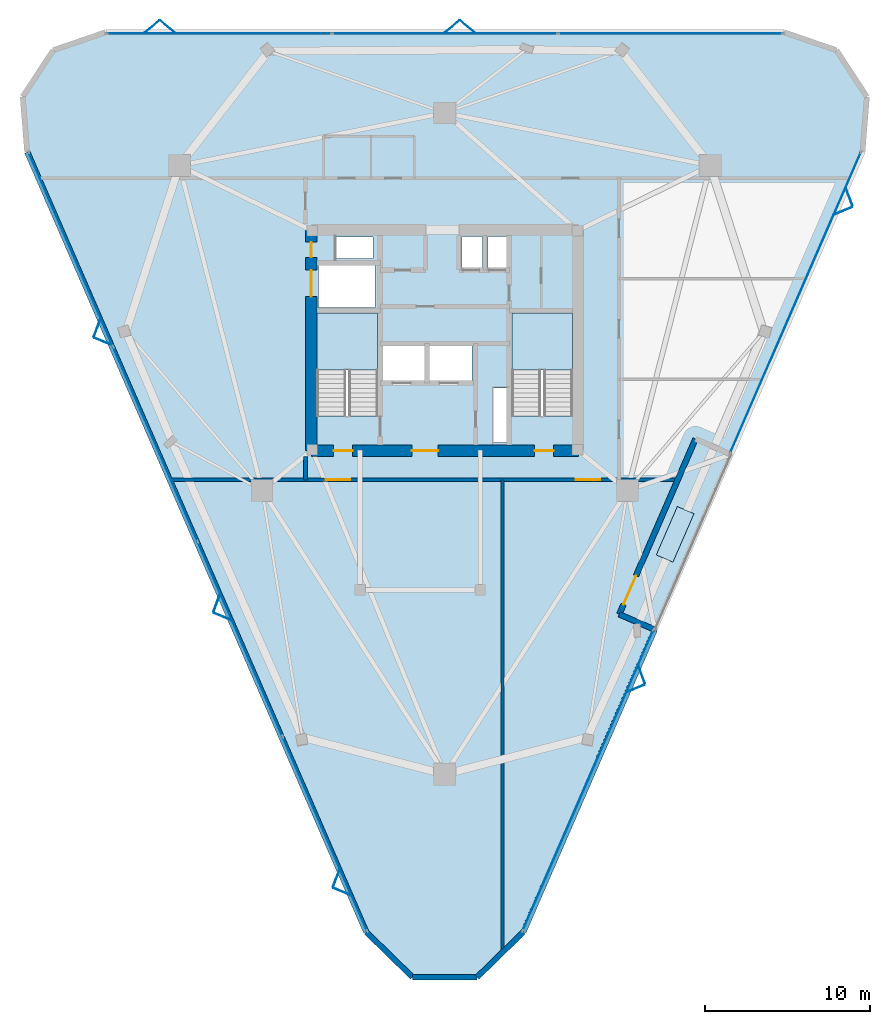
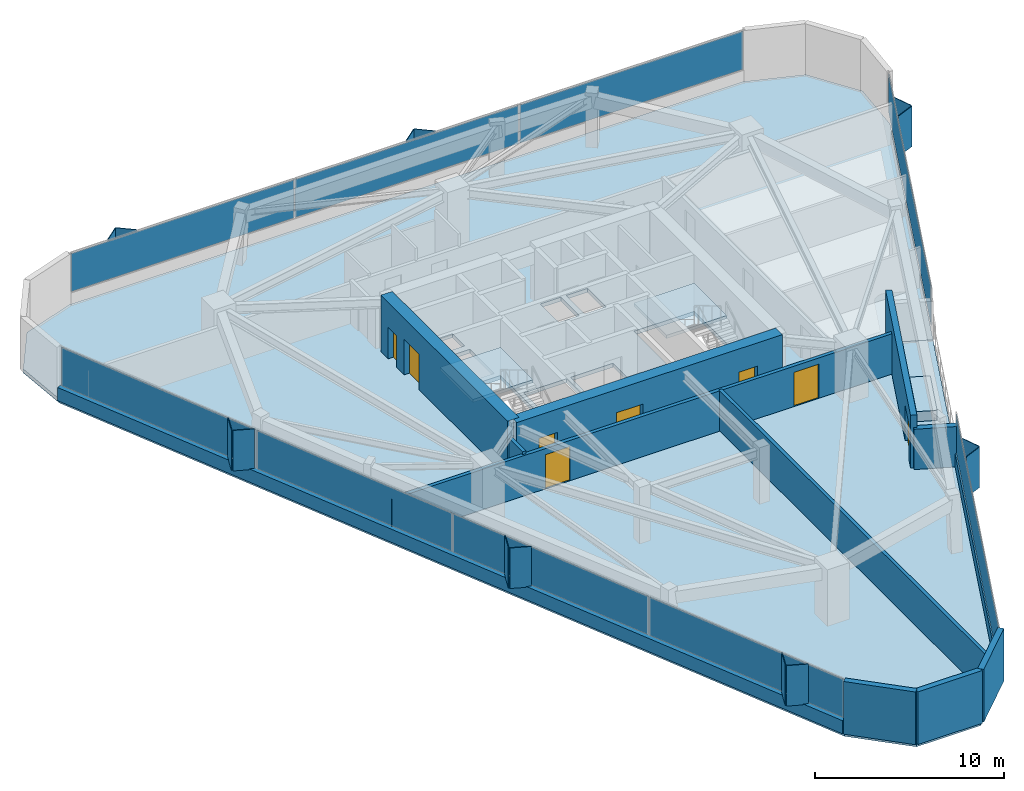
# One storey, part 7 of 11: 24 plates, 12 walls, 8 doors, 4 slabs, 8 openings, 6 elements without a shape of their own.
"""IFC4 building model written with IfcOpenShell, lengths in metres."""

from ifc_helpers import new_model, si_unit, direction, frame, frame_2d, origin, origin_2d, place, context, subcontext, project, spatial, polyline, rectangle, outline, extrude, material, layer, layer_set, type_object, element, fill, aggregate, save


model = new_model("IFC4")

# Units and contexts
model_context = context("Model", 3, precision=1e-05, world=origin(), true_north=direction((0.0, 1.0)))
body_context = subcontext(model_context, "Body", "Model", "MODEL_VIEW")
ifc_project = project(units=[si_unit("LENGTHUNIT", "METRE"), si_unit("AREAUNIT", "SQUARE_METRE"), si_unit("VOLUMEUNIT", "CUBIC_METRE"), si_unit("PLANEANGLEUNIT", "RADIAN"), si_unit("MASSUNIT", "GRAM", prefix="KILO")], contexts=[model_context])

# Site, building, storey
site_placement = place(None, origin())
site = spatial("IfcSite", under=ifc_project, at=site_placement, CompositionType="ELEMENT")
building_placement = place(site_placement, origin())
building = spatial("IfcBuilding", under=site, at=building_placement, Name="Talyreon Biosciences Tower", CompositionType="ELEMENT")
storey_placement = place(building_placement, frame((0.0, 0.0, 201.300048828125)))
storey = spatial("IfcBuildingStorey", under=building, at=storey_placement, Name="L53", CompositionType="ELEMENT", Elevation=201.300048828125)

# Curtain wall, plates
ifc_material_1 = material(Name="Thermally broken aluminium and low-E glazing", Category="aluminium")
ifc_layer_1 = layer(ifc_material_1, 0.205078125)
ifc_layer_set_1 = layer_set([ifc_layer_1], Name="Thermally broken aluminium and low-E glazing")
curtain_wall_type = type_object("IfcCurtainWallType", Name="CurtainWall_SkyGardenLoggia", PredefinedType="NOTDEFINED", material=ifc_layer_set_1)
curtain_wall_1_placement = place(storey_placement, origin())
curtain_wall_1 = element("IfcCurtainWall", 1, at=curtain_wall_1_placement, inside=storey, type_object=curtain_wall_type, Name="L53 Unitised Curtain Wall FCW-L53-03", PredefinedType="NOTDEFINED")
ifc_material_2 = material(Name="Acoustic laminated low-E insulated glazing", Category="glass")
ifc_layer_2 = layer(ifc_material_2, 0.0380859375)
ifc_layer_set_2 = layer_set([ifc_layer_2], Name="Acoustic laminated low-E insulated glazing")
plate_type_1 = type_object("IfcPlateType", Name="CWGlazingPanel_38", PredefinedType="CURTAIN_PANEL", material=ifc_layer_set_2)
plate_1_placement = place(storey_placement, frame((52.30859375, 86.605224609375, 0.875), z_axis=(0.0, 0.0, 1.0), x_axis=(1.0, 0.0, 0.0)))
plate_1 = element("IfcPlate", 2, at=plate_1_placement, type_object=plate_type_1, Name="CW7 panel 1.1", PredefinedType="CURTAIN_PANEL", context=body_context, shape_type="SweptSolid", body=[
    extrude(rectangle(XDim=13.59765625, YDim=0.0380859375, at=origin_2d()), origin(), (0.0, 0.0, 1.0), 2.4599609375),
])
plate_2_placement = place(storey_placement, frame((66.0, 86.605224609375, 0.875), z_axis=(0.0, 0.0, 1.0), x_axis=(1.0, 0.0, 0.0)))
plate_2 = element("IfcPlate", 3, at=plate_2_placement, type_object=plate_type_1, Name="CW7 panel 2.1", PredefinedType="CURTAIN_PANEL", context=body_context, shape_type="SweptSolid", body=[
    extrude(rectangle(XDim=13.63525390625, YDim=0.0380859375, at=origin_2d()), origin(), (0.0, 0.0, 1.0), 2.4599609375),
])
plate_3_placement = place(storey_placement, frame((79.69140625, 86.605224609375, 0.875), z_axis=(0.0, 0.0, 1.0), x_axis=(1.0, 0.0, 0.0)))
plate_3 = element("IfcPlate", 4, at=plate_3_placement, type_object=plate_type_1, Name="CW7 panel 3.1", PredefinedType="CURTAIN_PANEL", context=body_context, shape_type="SweptSolid", body=[
    extrude(rectangle(XDim=13.59765625, YDim=0.0380859375, at=origin_2d()), origin(), (0.0, 0.0, 1.0), 2.4599609375),
])
aggregate(curtain_wall_1, [plate_1, plate_2, plate_3])

# Curtain wall, plate
curtain_wall_2_placement = place(storey_placement, origin())
curtain_wall_2 = element("IfcCurtainWall", 5, at=curtain_wall_2_placement, inside=storey, type_object=curtain_wall_type, Name="L53 Unitised Curtain Wall FCW-L53-07", PredefinedType="NOTDEFINED")
plate_4_placement = place(storey_placement, frame((87.275634765625, 70.275390625, 0.875), z_axis=(0.0, 0.0, 1.0), x_axis=(-0.398627540924, -0.91711290669, 0.0)))
plate_4 = element("IfcPlate", 6, at=plate_4_placement, type_object=plate_type_1, Name="CW7 panel 1.1", PredefinedType="CURTAIN_PANEL", context=body_context, shape_type="SweptSolid", body=[
    extrude(rectangle(XDim=19.845458984375, YDim=0.0380859375, at=origin_2d()), origin(), (0.0, 0.0, 1.0), 2.4599609375),
])
aggregate(curtain_wall_2, [plate_4])

curtain_wall_3_placement = place(storey_placement, origin())
curtain_wall_3 = element("IfcCurtainWall", 7, at=curtain_wall_3_placement, inside=storey, type_object=curtain_wall_type, Name="L53 Unitised Curtain Wall FCW-L53-11", PredefinedType="NOTDEFINED")
plate_5_placement = place(storey_placement, frame((74.680908203125, 41.298828125, 0.875), z_axis=(0.0, 0.0, 1.0), x_axis=(-0.3986251628, -0.917113940349, 0.0)))
plate_5 = element("IfcPlate", 8, at=plate_5_placement, type_object=plate_type_1, Name="CW7 panel 1.1", PredefinedType="CURTAIN_PANEL", context=body_context, shape_type="SweptSolid", body=[
    extrude(rectangle(XDim=19.84521484375, YDim=0.0380859375, at=origin_2d()), origin(), (0.0, 0.0, 1.0), 2.4599609375),
])
aggregate(curtain_wall_3, [plate_5])

# Curtain wall, plates
curtain_wall_4_placement = place(storey_placement, origin())
curtain_wall_4 = element("IfcCurtainWall", 9, at=curtain_wall_4_placement, inside=storey, type_object=curtain_wall_type, Name="L53 Unitised Curtain Wall FCW-L53-15", PredefinedType="NOTDEFINED")
plate_6_placement = place(storey_placement, frame((58.726318359375, 38.061279296875, 0.875), z_axis=(0.0, 0.0, 1.0), x_axis=(-0.398626314079, 0.917113439943, 0.0)))
plate_6 = element("IfcPlate", 10, at=plate_6_placement, type_object=plate_type_1, Name="CW7 panel 1.1", PredefinedType="CURTAIN_PANEL", context=body_context, shape_type="SweptSolid", body=[
    extrude(rectangle(XDim=12.78515625, YDim=0.0380859375, at=origin_2d()), origin(), (0.0, 0.0, 1.0), 2.4599609375),
])
plate_7_placement = place(storey_placement, frame((53.59228515625, 49.872802734375, 0.875), z_axis=(0.0, 0.0, 1.0), x_axis=(-0.398626314079, 0.917113439943, 0.0)))
plate_7 = element("IfcPlate", 11, at=plate_7_placement, type_object=plate_type_1, Name="CW7 panel 2.1", PredefinedType="CURTAIN_PANEL", context=body_context, shape_type="SweptSolid", body=[
    extrude(rectangle(XDim=12.82275390625, YDim=0.0380859375, at=origin_2d()), origin(), (0.0, 0.0, 1.0), 2.4599609375),
])
plate_8_placement = place(storey_placement, frame((48.450927734375, 61.701416015625, 0.875), z_axis=(0.0, 0.0, 1.0), x_axis=(-0.398626314079, 0.917113439943, 0.0)))
plate_8 = element("IfcPlate", 12, at=plate_8_placement, type_object=plate_type_1, Name="CW7 panel 3.1", PredefinedType="CURTAIN_PANEL", context=body_context, shape_type="SweptSolid", body=[
    extrude(rectangle(XDim=12.82275390625, YDim=0.0380859375, at=origin_2d()), origin(), (0.0, 0.0, 1.0), 2.4599609375),
])
plate_9_placement = place(storey_placement, frame((43.317138671875, 73.5126953125, 0.875), z_axis=(0.0, 0.0, 1.0), x_axis=(-0.398626314079, 0.917113439943, 0.0)))
plate_9 = element("IfcPlate", 13, at=plate_9_placement, type_object=plate_type_1, Name="CW7 panel 4.1", PredefinedType="CURTAIN_PANEL", context=body_context, shape_type="SweptSolid", body=[
    extrude(rectangle(XDim=12.78515625, YDim=0.0380859375, at=origin_2d()), origin(), (0.0, 0.0, 1.0), 2.4599609375),
])
aggregate(curtain_wall_4, [plate_6, plate_7, plate_8, plate_9])

# Slab
ifc_material_3 = material(Name="Concrete C40/50", Category="concrete")
ifc_layer_3 = layer(ifc_material_3, 0.25)
ifc_layer_set_3 = layer_set([ifc_layer_3], Name="Concrete C40/50")
slab_type_1 = type_object("IfcSlabType", Name="DryLabFloorSlab_250", PredefinedType="FLOOR", material=ifc_layer_set_3)
slab_1_placement = place(storey_placement, frame((0.0, 0.0, -0.25)))
element("IfcSlab", 14, at=slab_1_placement, inside=storey, type_object=slab_type_1, Name="L53 Structural Floor Slab", PredefinedType="FLOOR", context=body_context, shape_type="SweptSolid", body=[
    extrude(outline(polyline([(40.66552734375, 79.412353515625), (40.396484375, 82.77294921875), (42.245361328125, 85.59228515625), (45.4345703125, 86.685302734375), (86.5654296875, 86.685302734375), (89.754638671875, 85.59228515625), (91.603515625, 82.77294921875), (91.33447265625, 79.412353515625), (83.36376953125, 61.074462890625), (81.20849609375, 62.010986328125), (76.58447265625, 51.37255859375), (78.739501953125, 50.435791015625), (70.76904296875, 32.097900390625), (67.962158203125, 29.355224609375), (64.037841796875, 29.355224609375), (61.23095703125, 32.097900390625), (40.66552734375, 79.412353515625)]), holes=[polyline([(69.820068359375, 65.10009765625), (69.820068359375, 61.800048828125), (68.9599609375, 61.800048828125), (68.9599609375, 65.10009765625), (69.820068359375, 65.10009765625)]), polyline([(61.929931640625, 69.64990234375), (61.929931640625, 63.407958984375), (58.25, 63.407958984375), (58.25, 69.64990234375), (61.929931640625, 69.64990234375)]), polyline([(73.75, 69.64990234375), (73.75, 63.407958984375), (70.070068359375, 63.407958984375), (70.070068359375, 69.64990234375), (73.75, 69.64990234375)]), polyline([(64.800048828125, 67.64990234375), (64.800048828125, 65.550048828125), (62.199951171875, 65.550048828125), (62.199951171875, 67.64990234375), (64.800048828125, 67.64990234375)]), polyline([(67.64990234375, 67.64990234375), (67.64990234375, 65.550048828125), (65.050048828125, 65.550048828125), (65.050048828125, 67.64990234375), (67.64990234375, 67.64990234375)]), polyline([(61.75, 72.550048828125), (61.75, 69.97998046875), (58.35009765625, 69.97998046875), (58.35009765625, 72.550048828125), (61.75, 72.550048828125)]), polyline([(68.300048828125, 74.300048828125), (68.300048828125, 72.35009765625), (67.050048828125, 72.35009765625), (67.050048828125, 74.300048828125), (68.300048828125, 74.300048828125)]), polyline([(69.919921875, 72.35009765625), (68.6201171875, 72.35009765625), (68.6201171875, 74.300048828125), (69.919921875, 74.300048828125), (69.919921875, 72.35009765625)]), polyline([(61.64990234375, 72.9599609375), (59.39990234375, 72.9599609375), (59.39990234375, 74.25), (61.64990234375, 74.25), (61.64990234375, 72.9599609375)])]), origin(), (0.0, 0.0, 1.0), 0.25),
])

# Plates
ifc_material_4 = material(Name="Ivory GFRC sunshade panel", Category="concrete")
ifc_layer_4 = layer(ifc_material_4, 0.044921875)
ifc_layer_set_4 = layer_set([ifc_layer_4], Name="Ivory GFRC sunshade panel")
plate_type_2 = type_object("IfcPlateType", Name="FoldedVSunshade_NorthFace_SUNSHADE", PredefinedType="USERDEFINED", material=ifc_layer_set_4)
for number, where, z_axis, x_axis, name in (
    (15, (48.254638671875, 87.045166015625, 0.7900390625), (0.0, 0.0, 1.0), (0.771624583388, 0.636078220278, 0.0), "L53 Folded V-Sunshade Panel 03.01L"),
    (16, (49.154541015625, 87.045166015625, 0.7900390625), (0.0, 0.0, 1.0), (0.771624583388, -0.636078220278, 0.0), "L53 Folded V-Sunshade Panel 03.01R"),
    (17, (66.45458984375, 87.045166015625, 0.7900390625), (0.0, 0.0, 1.0), (0.771624583388, 0.636078220278, 0.0), "L53 Folded V-Sunshade Panel 03.02L"),
    (18, (67.3544921875, 87.045166015625, 0.7900390625), (0.0, 0.0, 1.0), (0.771624583388, -0.636078220278, 0.0), "L53 Folded V-Sunshade Panel 03.02R"),
):
    element("IfcPlate", number, at=place(storey_placement, frame(where, z_axis=z_axis, x_axis=x_axis)), inside=storey, type_object=plate_type_2, Name=name, ObjectType="SUNSHADE", PredefinedType="USERDEFINED", context=body_context, shape_type="SweptSolid", body=[
        extrude(rectangle(XDim=1.14990234375, YDim=0.044921875, at=origin_2d()), origin(), (0.0, 0.0, 1.0), 2.610107421875),
    ])
ifc_layer_5 = layer(ifc_material_4, 0.044921875)
ifc_layer_set_5 = layer_set([ifc_layer_5], Name="Ivory GFRC sunshade panel")
plate_type_3 = type_object("IfcPlateType", Name="FoldedVSunshade_SunFace_SUNSHADE", PredefinedType="USERDEFINED", material=ifc_layer_set_5)
for number, where, z_axis, x_axis, name in (
    (19, (90.540283203125, 76.6826171875, 0.7900390625), (0.0, 0.0, 1.0), (0.350338161955, -0.936623281943, 0.0), "L53 Folded V-Sunshade Panel 07.01L"),
    (20, (90.181640625, 75.857177734375, 0.7900390625), (0.0, 0.0, 1.0), (-0.923826090819, -0.382812426552, 0.0), "L53 Folded V-Sunshade Panel 07.01R"),
    (21, (77.945556640625, 47.7060546875, 0.7900390625), (0.0, 0.0, 1.0), (0.350338161955, -0.936623281943, 0.0), "L53 Folded V-Sunshade Panel 11.01L"),
    (22, (77.5869140625, 46.880615234375, 0.7900390625), (0.0, 0.0, 1.0), (-0.923826090819, -0.382812426552, 0.0), "L53 Folded V-Sunshade Panel 11.01R"),
    (23, (59.776611328125, 34.540771484375, 0.7900390625), (0.0, 0.0, 1.0), (-0.923826090819, 0.382812426552, 0.0), "L53 Folded V-Sunshade Panel 15.01L"),
    (24, (59.41796875, 35.3662109375, 0.7900390625), (0.0, 0.0, 1.0), (0.350338161955, 0.936623281943, 0.0), "L53 Folded V-Sunshade Panel 15.01R"),
    (25, (52.521728515625, 51.232177734375, 0.7900390625), (0.0, 0.0, 1.0), (-0.923826090819, 0.382812426552, 0.0), "L53 Folded V-Sunshade Panel 15.02L"),
    (26, (52.1630859375, 52.0576171875, 0.7900390625), (0.0, 0.0, 1.0), (0.350338161955, 0.936623281943, 0.0), "L53 Folded V-Sunshade Panel 15.02R"),
    (27, (45.2666015625, 67.923583984375, 0.7900390625), (0.0, 0.0, 1.0), (-0.923826090819, 0.382812426552, 0.0), "L53 Folded V-Sunshade Panel 15.03L"),
    (28, (44.907958984375, 68.7490234375, 0.7900390625), (0.0, 0.0, 1.0), (0.350338161955, 0.936623281943, 0.0), "L53 Folded V-Sunshade Panel 15.03R"),
):
    element("IfcPlate", number, at=place(storey_placement, frame(where, z_axis=z_axis, x_axis=x_axis)), inside=storey, type_object=plate_type_3, Name=name, ObjectType="SUNSHADE", PredefinedType="USERDEFINED", context=body_context, shape_type="SweptSolid", body=[
        extrude(rectangle(XDim=1.14990234375, YDim=0.044921875, at=origin_2d()), origin(), (0.0, 0.0, 1.0), 2.610107421875),
    ])
ifc_material_5 = material(Name="Terracotta-faced precast planter Concrete C40/50", Category="masonry")
ifc_layer_6 = layer(ifc_material_5, 0.64990234375)
ifc_layer_set_6 = layer_set([ifc_layer_6], Name="Terracotta-faced precast planter Concrete C40/50")
plate_type_4 = type_object("IfcPlateType", Name="SkyGardenPlanter_PLANTER", PredefinedType="USERDEFINED", material=ifc_layer_set_6)
plate_10_placement = place(storey_placement, frame((79.97412109375, 56.223388671875, 0.0), z_axis=(0.0, 0.0, 1.0), x_axis=(0.398621019297, 0.917115741319, 0.0)))
element("IfcPlate", 29, at=plate_10_placement, inside=storey, type_object=plate_type_4, Name="L53 Sky-Garden Structural Planter", ObjectType="PLANTER", PredefinedType="USERDEFINED", context=body_context, shape_type="SweptSolid", body=[
    extrude(rectangle(XDim=3.199951171875, YDim=1.10009765625, at=origin_2d()), origin(), (0.0, 0.0, 1.0), 0.64990234375),
])

# Slab
ifc_layer_7 = layer(ifc_material_3, 0.330078125)
ifc_layer_set_7 = layer_set([ifc_layer_7], Name="Concrete C40/50")
slab_type_2 = type_object("IfcSlabType", Name="SkyGardenTerraceRoof_330", PredefinedType="ROOF", material=ifc_layer_set_7)
slab_2_placement = place(storey_placement, frame((0.0, 0.0, -0.330078125)))
element("IfcSlab", 30, at=slab_2_placement, inside=storey, type_object=slab_type_2, Name="L53 Planted Sky-Garden Terrace Slab", PredefinedType="ROOF", context=body_context, shape_type="SweptSolid", body=[
    extrude(outline(polyline([(78.739501953125, 50.435791015625), (76.58447265625, 51.37255859375), (81.20849609375, 62.010986328125), (83.36376953125, 61.074462890625), (78.739501953125, 50.435791015625)])), origin(), (0.0, 0.0, 1.0), 0.330078125),
])

# Stair, slab
stair_type = type_object("IfcStairType", Name="DoglegEscapeStair_3650", PredefinedType="HALF_TURN_STAIR", material=ifc_material_3)
stair_1_placement = place(storey_placement, origin())
stair_1 = element("IfcStair", 31, at=stair_1_placement, inside=storey, type_object=stair_type, Name="L53 Core Escape Stair 1", PredefinedType="HALF_TURN_STAIR")
ifc_layer_8 = layer(ifc_material_3, 0.199951171875)
ifc_layer_set_8 = layer_set([ifc_layer_8], Name="Concrete C40/50")
slab_type_3 = type_object("IfcSlabType", Name="StairLandingSlab_200", PredefinedType="LANDING", material=ifc_layer_set_8)
slab_3_placement = place(storey_placement, frame((0.0, 0.0, 1.625)))
slab_3 = element("IfcSlab", 32, at=slab_3_placement, type_object=slab_type_3, Name="ST-1 landing 1", PredefinedType="LANDING", context=body_context, shape_type="SweptSolid", body=[
    extrude(outline(polyline([(61.929931640625, 66.199951171875), (61.929931640625, 69.64990234375), (58.25, 69.64990234375), (58.25, 66.199951171875), (61.929931640625, 66.199951171875)])), origin(), (0.0, 0.0, 1.0), 0.199951171875),
])
aggregate(stair_1, [slab_3])

stair_2_placement = place(storey_placement, origin())
stair_2 = element("IfcStair", 33, at=stair_2_placement, inside=storey, type_object=stair_type, Name="L53 Core Escape Stair 2", PredefinedType="HALF_TURN_STAIR")
slab_4_placement = place(storey_placement, frame((0.0, 0.0, 1.625)))
slab_4 = element("IfcSlab", 34, at=slab_4_placement, type_object=slab_type_3, Name="ST-2 landing 1", PredefinedType="LANDING", context=body_context, shape_type="SweptSolid", body=[
    extrude(outline(polyline([(73.75, 66.199951171875), (73.75, 69.64990234375), (70.070068359375, 69.64990234375), (70.070068359375, 66.199951171875), (73.75, 66.199951171875)])), origin(), (0.0, 0.0, 1.0), 0.199951171875),
])
aggregate(stair_2, [slab_4])

# Wall
ifc_material_6 = material(Name="Gypsum fireboard acoustic stud", Category="gypsum")
ifc_layer_9 = layer(ifc_material_6, 0.199951171875)
ifc_layer_set_9 = layer_set([ifc_layer_9], Name="Gypsum fireboard acoustic stud")
wall_type_1 = type_object("IfcWallType", Name="ChemControlPartition_200", PredefinedType="PARTITIONING", material=ifc_layer_set_9)
wall_1_placement = place(storey_placement, frame((69.5, 30.976806640625, 0.0), z_axis=(0.0, 0.0, 1.0), x_axis=(0.0, 1.0, 0.0)))
element("IfcWall", 35, at=wall_1_placement, inside=storey, type_object=wall_type_1, Name="L53 Interior Wall IW-L53-SDIV1", PredefinedType="PARTITIONING", context=body_context, shape_type="SweptSolid", body=[
    extrude(rectangle(XDim=28.55322265625, YDim=0.199951171875, at=frame_2d((14.276611328125, 0.0))), origin(), (0.0, 0.0, 1.0), 2.599853515625),
])

# Wall, openings, doors
ifc_material_7 = material(Name="Concrete C50/60", Category="concrete")
ifc_layer_10 = layer(ifc_material_7, 0.699951171875)
ifc_layer_set_10 = layer_set([ifc_layer_10], Name="Concrete C50/60")
wall_type_2 = type_object("IfcWallType", Name="CoreShearWall_700", PredefinedType="SHEAR", material=ifc_layer_set_10)
wall_2_placement = place(storey_placement, frame((57.89990234375, 61.300048828125, 0.0), z_axis=(0.0, 0.0, 1.0), x_axis=(1.0, 0.0, 0.0)))
wall_2 = element("IfcWall", 36, at=wall_2_placement, inside=storey, type_object=wall_type_2, Name="L53 Core Shear Wall S", PredefinedType="SHEAR", context=body_context, shape_type="SweptSolid", body=[
    extrude(rectangle(XDim=16.2001953125, YDim=0.699951171875, at=frame_2d((8.10009765625, 0.0))), origin(), (0.0, 0.0, 1.0), 3.64990234375),
])
opening_1_placement = place(wall_2_placement, frame((1.35009765625, 0.0, 0.0)))
opening_1 = element("IfcOpeningElement", 37, at=opening_1_placement, cuts=wall_2, Name="Opening DR-L53-ST1", PredefinedType="OPENING", context=body_context, shape_type="SweptSolid", body=[
    extrude(rectangle(XDim=1.14990234375, YDim=2.14990234375, at=frame_2d((0.574951171875, 1.074951171875))), frame((0.0, 0.35986328125, 0.0), z_axis=(0.0, -1.0, 0.0), x_axis=(1.0, 0.0, 0.0)), (0.0, 0.0, 1.0), 0.719970703125),
])
opening_2_placement = place(wall_2_placement, frame((6.10009765625, 0.0, 0.0)))
opening_2 = element("IfcOpeningElement", 38, at=opening_2_placement, cuts=wall_2, Name="Opening DR-L53-FFL", PredefinedType="OPENING", context=body_context, shape_type="SweptSolid", body=[
    extrude(rectangle(XDim=1.60009765625, YDim=2.14990234375, at=frame_2d((0.800048828125, 1.074951171875))), frame((0.0, 0.35986328125, 0.0), z_axis=(0.0, -1.0, 0.0), x_axis=(1.0, 0.0, 0.0)), (0.0, 0.0, 1.0), 0.719970703125),
])
opening_3_placement = place(wall_2_placement, frame((13.550048828125, 0.0, 0.0)))
opening_3 = element("IfcOpeningElement", 39, at=opening_3_placement, cuts=wall_2, Name="Opening DR-L53-ST2", PredefinedType="OPENING", context=body_context, shape_type="SweptSolid", body=[
    extrude(rectangle(XDim=1.14990234375, YDim=2.14990234375, at=frame_2d((0.574951171875, 1.074951171875))), frame((0.0, 0.35986328125, 0.0), z_axis=(0.0, -1.0, 0.0), x_axis=(1.0, 0.0, 0.0)), (0.0, 0.0, 1.0), 0.719970703125),
])
ifc_material_8 = material(Name="Painted steel smoke-seal fire door", Category="steel")
door_type_1 = type_object("IfcDoorType", Name="FirefightingLobbyDoubleDoor_1600x2150", OperationType="DOUBLE_DOOR_SINGLE_SWING", PredefinedType="DOOR", material=ifc_material_8)
door_1_placement = place(opening_2_placement, origin())
door_1 = element("IfcDoor", 40, at=door_1_placement, inside=storey, type_object=door_type_1, Name="L53 Core Door DR-L53-FFL", OperationType="DOUBLE_DOOR_SINGLE_SWING", OverallHeight=2.14990234375, OverallWidth=1.60009765625, PredefinedType="DOOR", context=body_context, shape_type="SweptSolid", body=[
    extrude(rectangle(XDim=1.60009765625, YDim=2.14990234375, at=frame_2d((0.800048828125, 1.074951171875))), frame((0.0, 0.02490234375, 0.0), z_axis=(0.0, -1.0, 0.0), x_axis=(1.0, 0.0, 0.0)), (0.0, 0.0, 1.0), 0.050048828125),
])
fill(opening_2, door_1)
ifc_material_9 = material(Name="Painted steel fire door", Category="steel")
door_type_2 = type_object("IfcDoorType", Name="StairShaftFireDoor_1150x2150", OperationType="NOTDEFINED", PredefinedType="DOOR", material=ifc_material_9)
door_2_placement = place(opening_1_placement, origin())
door_2 = element("IfcDoor", 41, at=door_2_placement, inside=storey, type_object=door_type_2, Name="L53 Core Door DR-L53-ST1", OperationType="SINGLE_SWING_LEFT", OverallHeight=2.14990234375, OverallWidth=1.14990234375, PredefinedType="DOOR", context=body_context, shape_type="SweptSolid", body=[
    extrude(rectangle(XDim=1.14990234375, YDim=2.14990234375, at=frame_2d((0.574951171875, 1.074951171875))), frame((0.0, 0.02490234375, 0.0), z_axis=(0.0, -1.0, 0.0), x_axis=(1.0, 0.0, 0.0)), (0.0, 0.0, 1.0), 0.050048828125),
])
fill(opening_1, door_2)
door_3_placement = place(opening_3_placement, origin())
door_3 = element("IfcDoor", 42, at=door_3_placement, inside=storey, type_object=door_type_2, Name="L53 Core Door DR-L53-ST2", OperationType="SINGLE_SWING_RIGHT", OverallHeight=2.14990234375, OverallWidth=1.14990234375, PredefinedType="DOOR", context=body_context, shape_type="SweptSolid", body=[
    extrude(rectangle(XDim=1.14990234375, YDim=2.14990234375, at=frame_2d((0.574951171875, 1.074951171875))), frame((0.0, 0.02490234375, 0.0), z_axis=(0.0, -1.0, 0.0), x_axis=(1.0, 0.0, 0.0)), (0.0, 0.0, 1.0), 0.050048828125),
])
fill(opening_3, door_3)

wall_3_placement = place(storey_placement, frame((57.89990234375, 74.699951171875, 0.0), z_axis=(0.0, 0.0, 1.0), x_axis=(0.0, -1.0, 0.0)))
wall_3 = element("IfcWall", 43, at=wall_3_placement, inside=storey, type_object=wall_type_2, Name="L53 Core Shear Wall W", PredefinedType="SHEAR", context=body_context, shape_type="SweptSolid", body=[
    extrude(rectangle(XDim=13.39990234375, YDim=0.699951171875, at=frame_2d((6.699951171875, 0.0))), origin(), (0.0, 0.0, 1.0), 3.64990234375),
])
opening_4_placement = place(wall_3_placement, frame((0.75, 0.0, 0.0)))
opening_4 = element("IfcOpeningElement", 44, at=opening_4_placement, cuts=wall_3, Name="Opening DR-L53-RSW", PredefinedType="OPENING", context=body_context, shape_type="SweptSolid", body=[
    extrude(rectangle(XDim=0.919921875, YDim=2.050048828125, at=frame_2d((0.4599609375, 1.02490234375))), frame((0.0, 0.35986328125, 0.0), z_axis=(0.0, -1.0, 0.0), x_axis=(1.0, 0.0, 0.0)), (0.0, 0.0, 1.0), 0.719970703125),
])
opening_5_placement = place(wall_3_placement, frame((2.449951171875, 0.0, 0.0)))
opening_5 = element("IfcOpeningElement", 45, at=opening_5_placement, cuts=wall_3, Name="Opening LD-L53-GL1", PredefinedType="OPENING", context=body_context, shape_type="SweptSolid", body=[
    extrude(rectangle(XDim=1.60009765625, YDim=2.300048828125, at=frame_2d((0.800048828125, 1.14990234375))), frame((0.0, 0.35986328125, 0.0), z_axis=(0.0, -1.0, 0.0), x_axis=(1.0, 0.0, 0.0)), (0.0, 0.0, 1.0), 0.719970703125),
])
ifc_material_10 = material(Name="Heavy-duty stainless-steel goods lift door", Category="steel")
door_type_3 = type_object("IfcDoorType", Name="GoodsLiftSlidingDoor_1600x2300", OperationType="DOUBLE_DOOR_SLIDING", PredefinedType="DOOR", material=ifc_material_10)
door_4_placement = place(opening_5_placement, origin())
door_4 = element("IfcDoor", 46, at=door_4_placement, inside=storey, type_object=door_type_3, Name="L53 Core Door LD-L53-GL1", OperationType="DOUBLE_DOOR_SLIDING", OverallHeight=2.300048828125, OverallWidth=1.60009765625, PredefinedType="DOOR", context=body_context, shape_type="SweptSolid", body=[
    extrude(rectangle(XDim=1.60009765625, YDim=2.300048828125, at=frame_2d((0.800048828125, 1.14990234375))), frame((0.0, 0.02490234375, 0.0), z_axis=(0.0, -1.0, 0.0), x_axis=(1.0, 0.0, 0.0)), (0.0, 0.0, 1.0), 0.050048828125),
])
fill(opening_5, door_4)
ifc_material_11 = material(Name="Painted steel fire-rated riser door", Category="steel")
door_type_4 = type_object("IfcDoorType", Name="RiserPlantAccessDoor_920x2050", OperationType="NOTDEFINED", PredefinedType="DOOR", material=ifc_material_11)
door_5_placement = place(opening_4_placement, origin())
door_5 = element("IfcDoor", 47, at=door_5_placement, inside=storey, type_object=door_type_4, Name="L53 Core Door DR-L53-RSW", OperationType="SINGLE_SWING_LEFT", OverallHeight=2.050048828125, OverallWidth=0.919921875, PredefinedType="DOOR", context=body_context, shape_type="SweptSolid", body=[
    extrude(rectangle(XDim=0.919921875, YDim=2.050048828125, at=frame_2d((0.4599609375, 1.02490234375))), frame((0.0, 0.02490234375, 0.0), z_axis=(0.0, -1.0, 0.0), x_axis=(1.0, 0.0, 0.0)), (0.0, 0.0, 1.0), 0.050048828125),
])
fill(opening_4, door_5)

ifc_layer_11 = layer(ifc_material_6, 0.219970703125)
ifc_layer_set_11 = layer_set([ifc_layer_11], Name="Gypsum fireboard acoustic stud")
wall_type_3 = type_object("IfcWallType", Name="CorridorRatedPartition_220", PredefinedType="PARTITIONING", material=ifc_layer_set_11)
wall_4_placement = place(storey_placement, frame((49.400146484375, 59.530029296875, 0.0), z_axis=(0.0, 0.0, 1.0), x_axis=(1.0, 0.0, 0.0)))
wall_4 = element("IfcWall", 48, at=wall_4_placement, inside=storey, type_object=wall_type_3, Name="L53 Interior Wall IW-L53-COR-S", PredefinedType="PARTITIONING", context=body_context, shape_type="SweptSolid", body=[
    extrude(rectangle(XDim=30.63720703125, YDim=0.219970703125, at=frame_2d((15.318603515625, 0.0))), origin(), (0.0, 0.0, 1.0), 2.599853515625),
])
opening_6_placement = place(wall_4_placement, frame((9.375, 0.0, 0.0)))
opening_6 = element("IfcOpeningElement", 49, at=opening_6_placement, cuts=wall_4, Name="Opening DR-L53-S1A", PredefinedType="OPENING", context=body_context, shape_type="SweptSolid", body=[
    extrude(rectangle(XDim=1.5, YDim=2.199951171875, at=frame_2d((0.75, 1.10009765625))), frame((0.0, 0.119873046875, 0.0), z_axis=(0.0, -1.0, 0.0), x_axis=(1.0, 0.0, 0.0)), (0.0, 0.0, 1.0), 0.239990234375),
])
opening_7_placement = place(wall_4_placement, frame((24.5439453125, 0.0, 0.0)))
opening_7 = element("IfcOpeningElement", 50, at=opening_7_placement, cuts=wall_4, Name="Opening DR-L53-S2A", PredefinedType="OPENING", context=body_context, shape_type="SweptSolid", body=[
    extrude(rectangle(XDim=1.5, YDim=2.199951171875, at=frame_2d((0.75, 1.10009765625))), frame((0.0, 0.119873046875, 0.0), z_axis=(0.0, -1.0, 0.0), x_axis=(1.0, 0.0, 0.0)), (0.0, 0.0, 1.0), 0.239990234375),
])
ifc_material_12 = material(Name="Vision-panel steel laboratory fire door", Category="steel")
door_type_5 = type_object("IfcDoorType", Name="WetLabDoubleLeafDoor_1500x2200", OperationType="DOUBLE_DOOR_SINGLE_SWING", PredefinedType="DOOR", material=ifc_material_12)
door_6_placement = place(opening_6_placement, origin())
door_6 = element("IfcDoor", 51, at=door_6_placement, inside=storey, type_object=door_type_5, Name="L53 Interior Door DR-L53-S1A", OperationType="DOUBLE_DOOR_SINGLE_SWING", OverallHeight=2.199951171875, OverallWidth=1.5, PredefinedType="DOOR", context=body_context, shape_type="SweptSolid", body=[
    extrude(rectangle(XDim=1.5, YDim=2.199951171875, at=frame_2d((0.75, 1.10009765625))), frame((0.0, 0.02490234375, 0.0), z_axis=(0.0, -1.0, 0.0), x_axis=(1.0, 0.0, 0.0)), (0.0, 0.0, 1.0), 0.050048828125),
])
fill(opening_6, door_6)
door_7_placement = place(opening_7_placement, origin())
door_7 = element("IfcDoor", 52, at=door_7_placement, inside=storey, type_object=door_type_5, Name="L53 Interior Door DR-L53-S2A", OperationType="DOUBLE_DOOR_SINGLE_SWING", OverallHeight=2.199951171875, OverallWidth=1.5, PredefinedType="DOOR", context=body_context, shape_type="SweptSolid", body=[
    extrude(rectangle(XDim=1.5, YDim=2.199951171875, at=frame_2d((0.75, 1.10009765625))), frame((0.0, 0.02490234375, 0.0), z_axis=(0.0, -1.0, 0.0), x_axis=(1.0, 0.0, 0.0)), (0.0, 0.0, 1.0), 0.050048828125),
])
fill(opening_7, door_7)

# Wall
wall_5_placement = place(storey_placement, frame((57.550048828125, 59.530029296875, 0.0), z_axis=(0.0, 0.0, 1.0), x_axis=(0.0, 1.0, 0.0)))
element("IfcWall", 53, at=wall_5_placement, inside=storey, type_object=wall_type_3, Name="L53 Interior Wall IW-L53-WCAP-S", PredefinedType="PARTITIONING", context=body_context, shape_type="SweptSolid", body=[
    extrude(rectangle(XDim=1.419921875, YDim=0.219970703125, at=frame_2d((0.7099609375, 0.0))), origin(), (0.0, 0.0, 1.0), 2.780029296875),
])

# Wall, opening, door
ifc_material_13 = material(Name="Precast concrete C45/55", Category="concrete")
ifc_layer_12 = layer(ifc_material_13, 0.340087890625)
ifc_layer_set_12 = layer_set([ifc_layer_12], Name="Precast concrete C45/55")
wall_type_4 = type_object("IfcWallType", Name="PrecastConcreteSpandrelWall_340", PredefinedType="STANDARD", material=ifc_layer_set_12)
wall_6_placement = place(storey_placement, frame((81.20849609375, 62.010986328125, 0.0), z_axis=(0.0, 0.0, 1.0), x_axis=(-0.398626061538, -0.917113549711, 0.0)))
wall_6 = element("IfcWall", 54, at=wall_6_placement, inside=storey, type_object=wall_type_4, Name="L53 Terrace Backing Concrete Wall 09", PredefinedType="STANDARD", context=body_context, shape_type="SweptSolid", body=[
    extrude(rectangle(XDim=11.599853515625, YDim=0.340087890625, at=frame_2d((5.7998046875, 0.0))), origin(), (0.0, 0.0, 1.0), 3.39990234375),
])
opening_8_placement = place(wall_6_placement, frame((9.050048828125, 0.0, 0.0)))
opening_8 = element("IfcOpeningElement", 55, at=opening_8_placement, cuts=wall_6, Name="Opening D04", PredefinedType="OPENING", context=body_context, shape_type="SweptSolid", body=[
    extrude(rectangle(XDim=1.89990234375, YDim=2.300048828125, at=frame_2d((0.949951171875, 1.14990234375))), frame((0.0, 0.179931640625, 0.0), z_axis=(0.0, -1.0, 0.0), x_axis=(1.0, 0.0, 0.0)), (0.0, 0.0, 1.0), 0.360107421875),
])
ifc_material_14 = material(Name="Thermally broken low-E glazed terrace door", Category="aluminium")
door_type_6 = type_object("IfcDoorType", Name="SkyGardenTerraceDoubleDoor_1900x2300", OperationType="DOUBLE_DOOR_SINGLE_SWING", PredefinedType="DOOR", material=ifc_material_14)
door_8_placement = place(opening_8_placement, origin())
door_8 = element("IfcDoor", 56, at=door_8_placement, inside=storey, type_object=door_type_6, Name="L53 Outdoor Terrace Access Door 09", OperationType="DOUBLE_DOOR_SINGLE_SWING", OverallHeight=2.300048828125, OverallWidth=1.89990234375, PredefinedType="DOOR", context=body_context, shape_type="SweptSolid", body=[
    extrude(rectangle(XDim=1.89990234375, YDim=2.300048828125, at=frame_2d((0.949951171875, 1.14990234375))), frame((0.0, 0.02490234375, 0.0), z_axis=(0.0, -1.0, 0.0), x_axis=(1.0, 0.0, 0.0)), (0.0, 0.0, 1.0), 0.050048828125),
])
fill(opening_8, door_8)

# Walls
wall_7_placement = place(storey_placement, frame((76.58447265625, 51.37255859375, 0.0), z_axis=(0.0, 0.0, 1.0), x_axis=(0.917101437334, -0.398653927161, 0.0)))
element("IfcWall", 57, at=wall_7_placement, inside=storey, type_object=wall_type_4, Name="L53 Terrace Backing Concrete Wall 10", PredefinedType="STANDARD", context=body_context, shape_type="SweptSolid", body=[
    extrude(rectangle(XDim=2.349853515625, YDim=0.340087890625, at=frame_2d((1.1748046875, 0.0))), origin(), (0.0, 0.0, 1.0), 2.599853515625),
])
wall_8_placement = place(storey_placement, frame((78.739501953125, 50.435791015625, 0.0), z_axis=(0.0, 0.0, 1.0), x_axis=(-0.39861940237, -0.917116444109, 0.0)))
element("IfcWall", 58, at=wall_8_placement, inside=storey, type_object=wall_type_4, Name="L53 Expressed Concrete Sill Wall 11", PredefinedType="STANDARD", context=body_context, shape_type="SweptSolid", body=[
    extrude(rectangle(XDim=19.9951171875, YDim=0.340087890625, at=frame_2d((9.99755859375, 0.0))), origin(), (0.0, 0.0, 1.0), 0.849853515625),
])
for number, where, z_axis, x_axis, name in (
    (59, (70.76904296875, 32.097900390625, 0.0), (0.0, 0.0, 1.0), (-0.7152402071, -0.69887870632, 0.0), "L53 Rounded-Corner Concrete Pier 12"),
    (60, (67.962158203125, 29.355224609375, 0.0), (0.0, 0.0, 1.0), (-1.0, 0.0, 0.0), "L53 Rounded-Corner Concrete Pier 13"),
    (61, (64.037841796875, 29.355224609375, 0.0), (0.0, 0.0, 1.0), (-0.7152402071, 0.69887870632, 0.0), "L53 Rounded-Corner Concrete Pier 14"),
):
    element("IfcWall", number, at=place(storey_placement, frame(where, z_axis=z_axis, x_axis=x_axis)), inside=storey, type_object=wall_type_4, Name=name, PredefinedType="STANDARD", context=body_context, shape_type="SweptSolid", body=[
        extrude(rectangle(XDim=3.92431640625, YDim=0.340087890625, at=frame_2d((1.962158203125, 0.0))), origin(), (0.0, 0.0, 1.0), 3.39990234375),
    ])
wall_9_placement = place(storey_placement, frame((61.23095703125, 32.097900390625, 0.0), z_axis=(0.0, 0.0, 1.0), x_axis=(-0.398627130257, 0.917113085188, 0.0)))
element("IfcWall", 62, at=wall_9_placement, inside=storey, type_object=wall_type_4, Name="L53 Expressed Concrete Sill Wall 15", PredefinedType="STANDARD", context=body_context, shape_type="SweptSolid", body=[
    extrude(rectangle(XDim=51.590576171875, YDim=0.340087890625, at=frame_2d((25.79541015625, 0.0))), origin(), (0.0, 0.0, 1.0), 0.849853515625),
])

save(model, "model.ifc")
